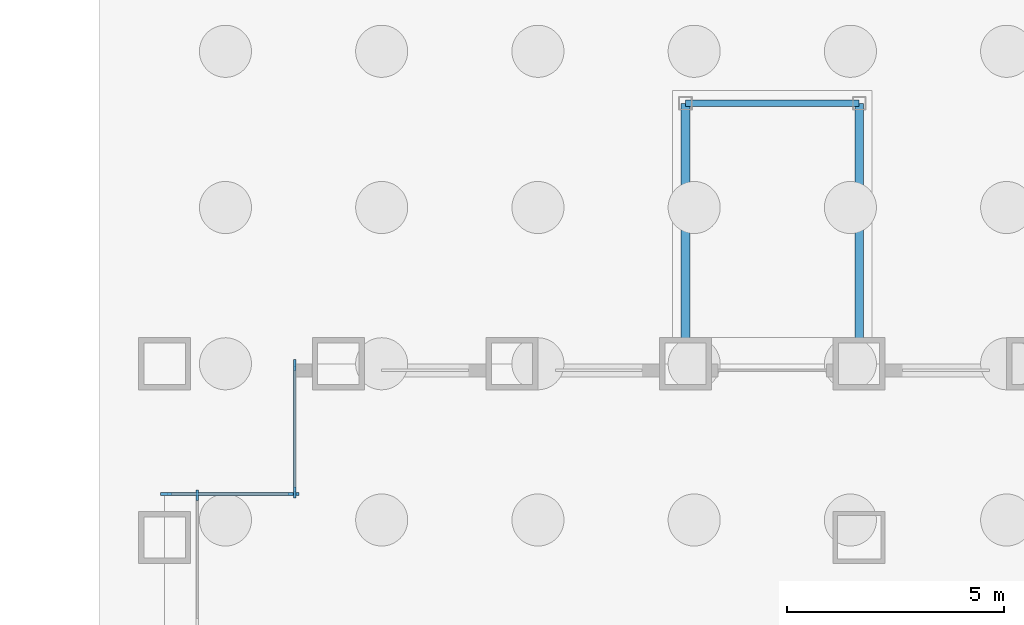
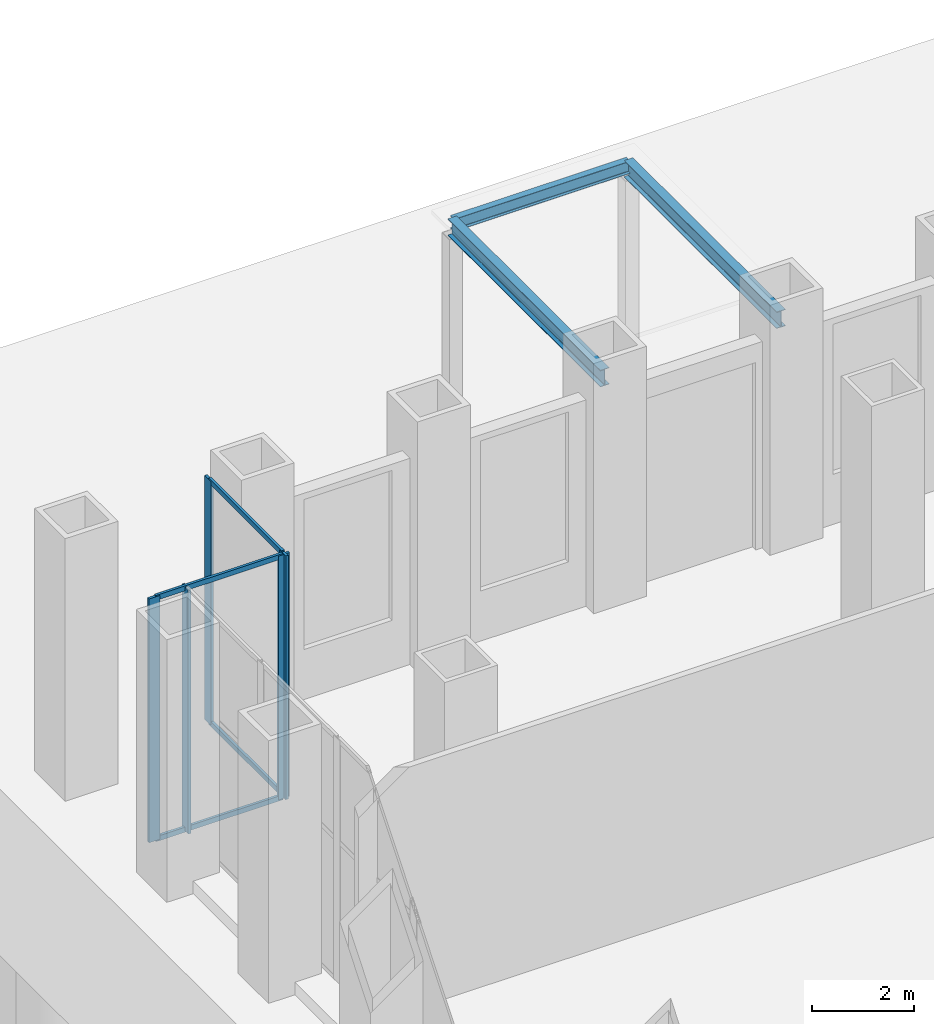
# One storey, part 9 of 17: 9 members, 3 beams, 3 elements without a shape of their own.
"""IFC4 building model written with IfcOpenShell, lengths in metres."""

from ifc_helpers import new_model, si_unit, direction, frame, origin, origin_2d, place, context, subcontext, project, spatial, rectangle, i_section, extrude, material, material_profile, profile_set, type_object, element, aggregate, save


model = new_model("IFC4")

# Units and contexts
model_context = context("Model", 3, precision=1e-05, world=origin(), true_north=direction((0.0, 1.0)))
body_context = subcontext(model_context, "Body", "Model", "MODEL_VIEW")
ifc_project = project(units=[si_unit("LENGTHUNIT", "METRE"), si_unit("AREAUNIT", "SQUARE_METRE"), si_unit("VOLUMEUNIT", "CUBIC_METRE"), si_unit("PLANEANGLEUNIT", "RADIAN"), si_unit("MASSUNIT", "GRAM", prefix="KILO")], contexts=[model_context])

# Site, building, storey
site_placement = place(None, origin())
site = spatial("IfcSite", under=ifc_project, at=site_placement, CompositionType="ELEMENT")
building_placement = place(site_placement, origin())
building = spatial("IfcBuilding", under=site, at=building_placement, Name="Rimbunsela Tower", CompositionType="ELEMENT")
storey_placement = place(building_placement, origin())
storey = spatial("IfcBuildingStorey", under=building, at=storey_placement, Name="L00", CompositionType="ELEMENT", Elevation=0.0)

# Curtain wall, members
ifc_material_1 = material(Name="Aluminium curtain wall", Category="aluminium")
curtain_wall_type_1 = type_object("IfcCurtainWallType", Name="Corner glazing", PredefinedType="USERDEFINED", material=ifc_material_1)
curtain_wall_1_placement = place(storey_placement, origin())
curtain_wall_1 = element("IfcCurtainWall", 1, at=curtain_wall_1_placement, inside=storey, type_object=curtain_wall_type_1, Name="Corner glazing L00", ObjectType="CORNER GLAZING", PredefinedType="USERDEFINED")
ifc_material_2 = material(Name="Aluminium mullion", Category="aluminium")
ifc_material_profile_1 = material_profile(ifc_material_2, rectangle(XDim=0.06005859375, YDim=0.25, at=origin_2d()), Name="Mullion 60x250")
ifc_profile_set_1 = profile_set([ifc_material_profile_1], Name="Aluminium mullion")
member_type_1 = type_object("IfcMemberType", Name="Curtain wall mullion 60x250", PredefinedType="MULLION", material=ifc_profile_set_1)
member_1_placement = place(storey_placement, frame((-3.0, 43.969970703125, 0.0), z_axis=(0.0, 0.0, 1.0), x_axis=(1.0, 0.0, 0.0)))
member_1 = element("IfcMember", 2, at=member_1_placement, type_object=member_type_1, Name="CW5 mullion 1", PredefinedType="MULLION", context=body_context, shape_type="SweptSolid", body=[
    extrude(rectangle(XDim=0.06005859375, YDim=0.25, at=origin_2d()), origin(), (0.0, 0.0, 1.0), 5.85009765625),
])
member_2_placement = place(storey_placement, frame((-3.0, 41.030029296875, 0.0), z_axis=(0.0, 0.0, 1.0), x_axis=(1.0, 0.0, 0.0)))
member_2 = element("IfcMember", 3, at=member_2_placement, type_object=member_type_1, Name="CW5 mullion 2", PredefinedType="MULLION", context=body_context, shape_type="SweptSolid", body=[
    extrude(rectangle(XDim=0.06005859375, YDim=0.25, at=origin_2d()), origin(), (0.0, 0.0, 1.0), 5.85009765625),
])

curtain_wall_2_placement = place(storey_placement, origin())
curtain_wall_2 = element("IfcCurtainWall", 4, at=curtain_wall_2_placement, inside=storey, type_object=curtain_wall_type_1, Name="Corner glazing L00", ObjectType="CORNER GLAZING", PredefinedType="USERDEFINED")
member_3_placement = place(storey_placement, frame((-3.030029296875, 41.0, 0.0), z_axis=(0.0, 0.0, 1.0), x_axis=(0.0, -1.0, 0.0)))
member_3 = element("IfcMember", 5, at=member_3_placement, type_object=member_type_1, Name="CW5 mullion 1", PredefinedType="MULLION", context=body_context, shape_type="SweptSolid", body=[
    extrude(rectangle(XDim=0.06005859375, YDim=0.25, at=origin_2d()), origin(), (0.0, 0.0, 1.0), 5.85009765625),
])
member_4_placement = place(storey_placement, frame((-5.969970703125, 41.0, 0.0), z_axis=(0.0, 0.0, 1.0), x_axis=(0.0, -1.0, 0.0)))
member_4 = element("IfcMember", 6, at=member_4_placement, type_object=member_type_1, Name="CW5 mullion 2", PredefinedType="MULLION", context=body_context, shape_type="SweptSolid", body=[
    extrude(rectangle(XDim=0.06005859375, YDim=0.25, at=origin_2d()), origin(), (0.0, 0.0, 1.0), 5.85009765625),
])

# Curtain wall, member
ifc_material_3 = material(Name="Aluminium curtain wall", Category="aluminium")
curtain_wall_type_2 = type_object("IfcCurtainWallType", Name="Podium glazing", PredefinedType="USERDEFINED", material=ifc_material_3)
curtain_wall_3_placement = place(storey_placement, origin())
curtain_wall_3 = element("IfcCurtainWall", 7, at=curtain_wall_3_placement, inside=storey, type_object=curtain_wall_type_2, Name="Podium glazing L00", ObjectType="PODIUM GLAZING", PredefinedType="USERDEFINED")
member_5_placement = place(storey_placement, frame((-5.25, 40.969970703125, 0.0), z_axis=(0.0, 0.0, 1.0), x_axis=(1.0, 0.0, 0.0)))
member_5 = element("IfcMember", 8, at=member_5_placement, type_object=member_type_1, Name="CW1 mullion 1", PredefinedType="MULLION", context=body_context, shape_type="SweptSolid", body=[
    extrude(rectangle(XDim=0.06005859375, YDim=0.25, at=origin_2d()), origin(), (0.0, 0.0, 1.0), 5.85009765625),
])
aggregate(curtain_wall_3, [member_5])

# Member
ifc_material_4 = material(Name="Aluminium transom", Category="aluminium")
ifc_material_profile_2 = material_profile(ifc_material_4, rectangle(XDim=0.06005859375, YDim=0.1201171875, at=origin_2d()), Name="Transom 60x120")
ifc_profile_set_2 = profile_set([ifc_material_profile_2], Name="Aluminium transom")
member_type_2 = type_object("IfcMemberType", Name="Curtain wall transom 60x120", PredefinedType="USERDEFINED", material=ifc_profile_set_2)
member_6_placement = place(storey_placement, frame((-3.0, 43.93994140625, 0.030029296875), z_axis=(0.0, -1.0, 0.0), x_axis=(1.0, 0.0, 0.0)))
member_6 = element("IfcMember", 9, at=member_6_placement, type_object=member_type_2, Name="CW5 transom 1.1", ObjectType="TRANSOM", PredefinedType="USERDEFINED", context=body_context, shape_type="SweptSolid", body=[
    extrude(rectangle(XDim=0.06005859375, YDim=0.1201171875, at=origin_2d()), origin(), (0.0, 0.0, 1.0), 2.8798828125),
])

member_7_placement = place(storey_placement, frame((-3.0, 43.93994140625, 5.820068359375), z_axis=(0.0, -1.0, 0.0), x_axis=(1.0, 0.0, 0.0)))
member_7 = element("IfcMember", 10, at=member_7_placement, type_object=member_type_2, Name="CW5 transom 1.2", ObjectType="TRANSOM", PredefinedType="USERDEFINED", context=body_context, shape_type="SweptSolid", body=[
    extrude(rectangle(XDim=0.06005859375, YDim=0.1201171875, at=origin_2d()), origin(), (0.0, 0.0, 1.0), 2.8798828125),
])

aggregate(curtain_wall_1, [member_1, member_2, member_6, member_7])

member_8_placement = place(storey_placement, frame((-3.06005859375, 41.0, 0.030029296875), z_axis=(-1.0, 0.0, 0.0), x_axis=(0.0, -1.0, 0.0)))
member_8 = element("IfcMember", 11, at=member_8_placement, type_object=member_type_2, Name="CW5 transom 1.1", ObjectType="TRANSOM", PredefinedType="USERDEFINED", context=body_context, shape_type="SweptSolid", body=[
    extrude(rectangle(XDim=0.06005859375, YDim=0.1201171875, at=origin_2d()), origin(), (0.0, 0.0, 1.0), 2.8798828125),
])

member_9_placement = place(storey_placement, frame((-3.06005859375, 41.0, 5.820068359375), z_axis=(-1.0, 0.0, 0.0), x_axis=(0.0, -1.0, 0.0)))
member_9 = element("IfcMember", 12, at=member_9_placement, type_object=member_type_2, Name="CW5 transom 1.2", ObjectType="TRANSOM", PredefinedType="USERDEFINED", context=body_context, shape_type="SweptSolid", body=[
    extrude(rectangle(XDim=0.06005859375, YDim=0.1201171875, at=origin_2d()), origin(), (0.0, 0.0, 1.0), 2.8798828125),
])

aggregate(curtain_wall_2, [member_3, member_4, member_8, member_9])

# Beams
ifc_material_5 = material(Name="Steel BJ 55 (fy 410 MPa)", Category="steel")
ifc_material_profile_3 = material_profile(ifc_material_5, i_section(OverallWidth=0.199951171875, OverallDepth=0.39990234375, WebThickness=0.008056640625, FlangeThickness=0.012939453125, FilletRadius=0.01611328125, at=origin_2d()), Name="H 400x200x8x13")
ifc_profile_set_3 = profile_set([ifc_material_profile_3], Name="Steel BJ 55 (fy 410 MPa)")
beam_type_1 = type_object("IfcBeamType", Name="Loading canopy beam H 400x200x8x13", PredefinedType="BEAM", material=ifc_profile_set_3)
for number, where, z_axis, x_axis, name in (
    (13, (6.0, 44.0, 5.10009765625), (0.0, 1.0, 0.0), (-1.0, 0.0, 0.0), "Loading canopy beam LB1"),
    (14, (10.0, 44.0, 5.10009765625), (0.0, 1.0, 0.0), (-1.0, 0.0, 0.0), "Loading canopy beam LB1"),
):
    element("IfcBeam", number, at=place(storey_placement, frame(where, z_axis=z_axis, x_axis=x_axis)), inside=storey, type_object=beam_type_1, Name=name, PredefinedType="BEAM", context=body_context, shape_type="SweptSolid", body=[
        extrude(i_section(OverallWidth=0.199951171875, OverallDepth=0.39990234375, WebThickness=0.008056640625, FlangeThickness=0.012939453125, FilletRadius=0.01611328125, at=origin_2d()), origin(), (0.0, 0.0, 1.0), 6.0),
    ])
ifc_material_6 = material(Name="Steel BJ 55 (fy 410 MPa)", Category="steel")
ifc_material_profile_4 = material_profile(ifc_material_6, i_section(OverallWidth=0.14990234375, OverallDepth=0.300048828125, WebThickness=0.006591796875, FlangeThickness=0.009033203125, FilletRadius=0.012939453125, at=origin_2d()), Name="H 300x150x6.5x9")
ifc_profile_set_4 = profile_set([ifc_material_profile_4], Name="Steel BJ 55 (fy 410 MPa)")
beam_type_2 = type_object("IfcBeamType", Name="Loading canopy fascia beam H 300x150x6.5x9", PredefinedType="BEAM", material=ifc_profile_set_4)
beam_placement = place(storey_placement, frame((6.0, 50.0, 5.14990234375), z_axis=(1.0, 0.0, 0.0), x_axis=(0.0, 1.0, 0.0)))
element("IfcBeam", 15, at=beam_placement, inside=storey, type_object=beam_type_2, Name="Loading canopy fascia beam LF1", PredefinedType="BEAM", context=body_context, shape_type="SweptSolid", body=[
    extrude(i_section(OverallWidth=0.14990234375, OverallDepth=0.300048828125, WebThickness=0.006591796875, FlangeThickness=0.009033203125, FilletRadius=0.012939453125, at=origin_2d()), origin(), (0.0, 0.0, 1.0), 4.0),
])

save(model, "model.ifc")
